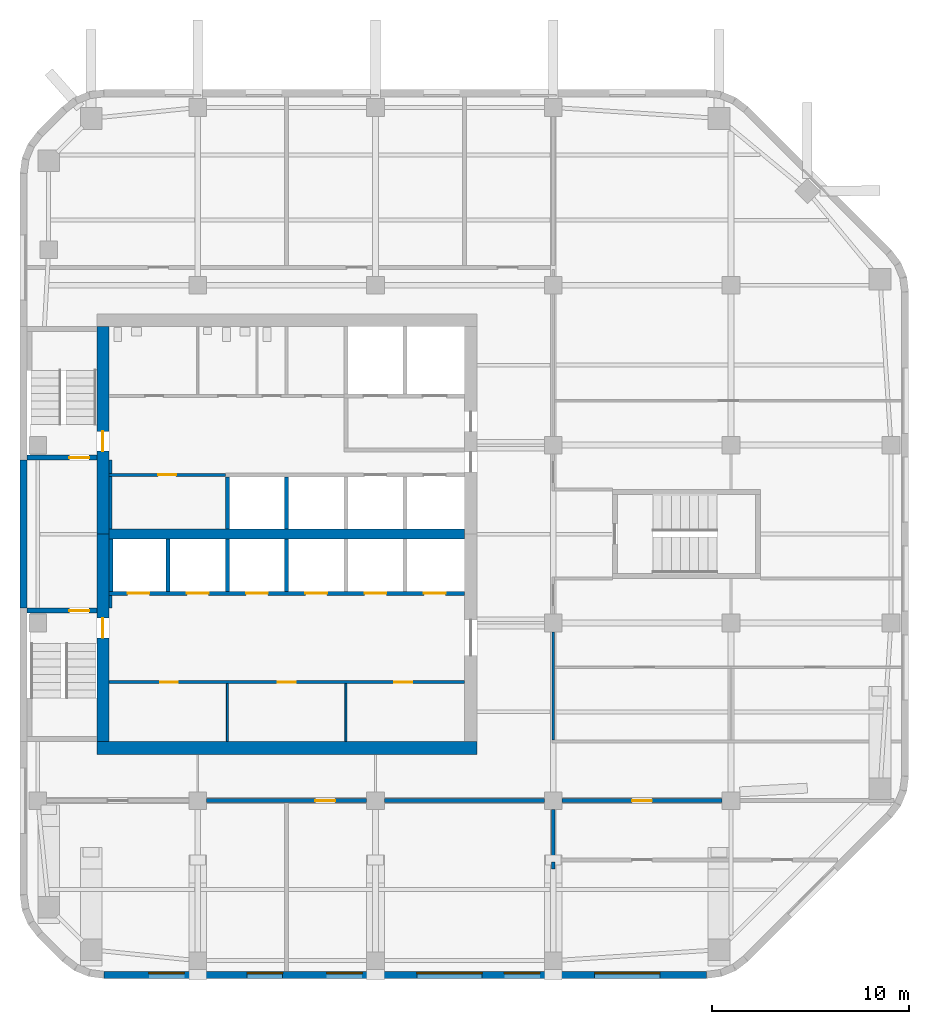
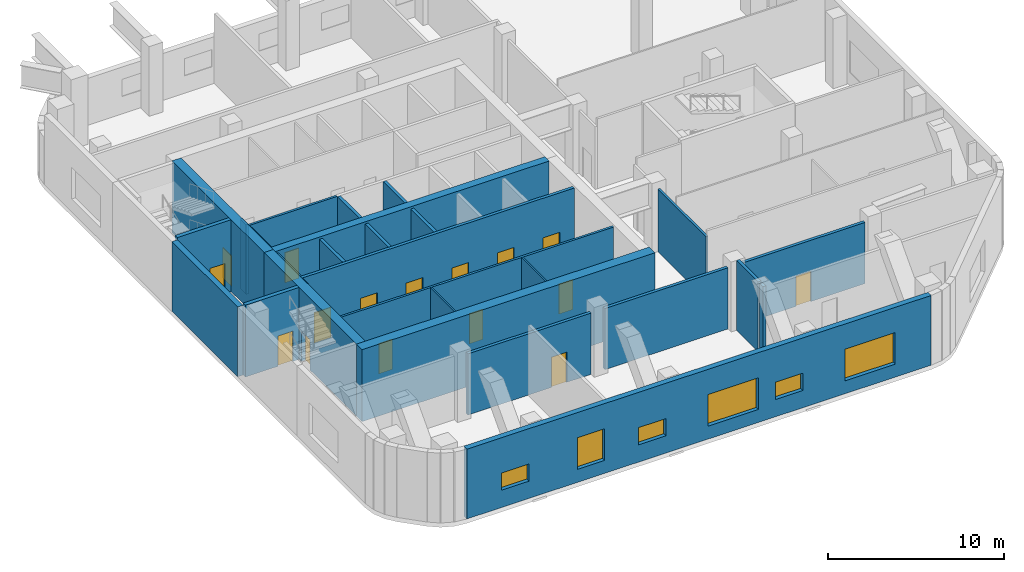
# One storey, part 3 of 8: 28 walls, 16 doors, 6 windows, 22 openings.
"""IFC4 building model written with IfcOpenShell, lengths in metres."""

from ifc_helpers import new_model, si_unit, direction, frame, frame_2d, origin, place, context, subcontext, project, spatial, rectangle, extrude, material, layer, layer_set, type_object, element, fill, save


model = new_model("IFC4")

# Units and contexts
model_context = context("Model", 3, precision=1e-05, world=origin(), true_north=direction((0.0, 1.0)))
body_context = subcontext(model_context, "Body", "Model", "MODEL_VIEW")
ifc_project = project(units=[si_unit("LENGTHUNIT", "METRE"), si_unit("AREAUNIT", "SQUARE_METRE"), si_unit("VOLUMEUNIT", "CUBIC_METRE"), si_unit("PLANEANGLEUNIT", "RADIAN"), si_unit("MASSUNIT", "GRAM", prefix="KILO")], contexts=[model_context])

# Site, building, storey
site_placement = place(None, origin())
site = spatial("IfcSite", under=ifc_project, at=site_placement, CompositionType="ELEMENT")
building_placement = place(site_placement, origin())
building = spatial("IfcBuilding", under=site, at=building_placement, Name="Cinnabar Reach Civic Tower", CompositionType="ELEMENT")
storey_placement = place(building_placement, frame((0.0, 0.0, 193.0)))
storey = spatial("IfcBuildingStorey", under=building, at=storey_placement, Name="L46", CompositionType="ELEMENT", Elevation=193.0)

# Wall, openings, windows
ifc_material_1 = material(Name="Facing brick with insulated backing", Category="masonry")
ifc_layer_1 = layer(ifc_material_1, 0.36)
ifc_layer_set_1 = layer_set([ifc_layer_1], Name="Brick pier and spandrel wall")
wall_type_1 = type_object("IfcWallType", Name="Brick pier and spandrel wall", PredefinedType="STANDARD", material=ifc_layer_set_1)
wall_1_placement = place(storey_placement, frame((4.2426, 9.18, 0.0), z_axis=(0.0, 0.0, 1.0), x_axis=(1.0, 0.0, 0.0)))
wall_1 = element("IfcWall", 1, at=wall_1_placement, inside=storey, type_object=wall_type_1, Name="Brick facade wall", PredefinedType="STANDARD", context=body_context, shape_type="SweptSolid", body=[
    extrude(rectangle(XDim=30.5148, YDim=0.36, at=frame_2d((15.2574, 0.0))), origin(), (0.0, 0.0, 1.0), 4.85),
])
opening_1_placement = place(wall_1_placement, frame((2.2824, 0.0, 1.2)))
opening_1 = element("IfcOpeningElement", 2, at=opening_1_placement, cuts=wall_1, Name="Opening W1941", PredefinedType="OPENING", context=body_context, shape_type="SweptSolid", body=[
    extrude(rectangle(XDim=1.8, YDim=1.2, at=frame_2d((0.9, 0.6))), frame((0.0, 0.19, 0.0), z_axis=(0.0, -1.0, 0.0), x_axis=(1.0, 0.0, 0.0)), (0.0, 0.0, 1.0), 0.38),
])
opening_2_placement = place(wall_1_placement, frame((7.2574, 0.0, 0.9)))
opening_2 = element("IfcOpeningElement", 3, at=opening_2_placement, cuts=wall_1, Name="Opening W1942", PredefinedType="OPENING", context=body_context, shape_type="SweptSolid", body=[
    extrude(rectangle(XDim=1.8, YDim=2.2, at=frame_2d((0.9, 1.1))), frame((0.0, 0.19, 0.0), z_axis=(0.0, -1.0, 0.0), x_axis=(1.0, 0.0, 0.0)), (0.0, 0.0, 1.0), 0.38),
])
opening_3_placement = place(wall_1_placement, frame((11.2824, 0.0, 1.2)))
opening_3 = element("IfcOpeningElement", 4, at=opening_3_placement, cuts=wall_1, Name="Opening W1943", PredefinedType="OPENING", context=body_context, shape_type="SweptSolid", body=[
    extrude(rectangle(XDim=1.8, YDim=1.2, at=frame_2d((0.9, 0.6))), frame((0.0, 0.19, 0.0), z_axis=(0.0, -1.0, 0.0), x_axis=(1.0, 0.0, 0.0)), (0.0, 0.0, 1.0), 0.38),
])
opening_4_placement = place(wall_1_placement, frame((15.8574, 0.0, 0.9)))
opening_4 = element("IfcOpeningElement", 5, at=opening_4_placement, cuts=wall_1, Name="Opening W1944", PredefinedType="OPENING", context=body_context, shape_type="SweptSolid", body=[
    extrude(rectangle(XDim=3.3, YDim=2.2, at=frame_2d((1.65, 1.1))), frame((0.0, 0.19, 0.0), z_axis=(0.0, -1.0, 0.0), x_axis=(1.0, 0.0, 0.0)), (0.0, 0.0, 1.0), 0.38),
])
opening_5_placement = place(wall_1_placement, frame((20.2824, 0.0, 1.2)))
opening_5 = element("IfcOpeningElement", 6, at=opening_5_placement, cuts=wall_1, Name="Opening W1945", PredefinedType="OPENING", context=body_context, shape_type="SweptSolid", body=[
    extrude(rectangle(XDim=1.8, YDim=1.2, at=frame_2d((0.9, 0.6))), frame((0.0, 0.19, 0.0), z_axis=(0.0, -1.0, 0.0), x_axis=(1.0, 0.0, 0.0)), (0.0, 0.0, 1.0), 0.38),
])
opening_6_placement = place(wall_1_placement, frame((24.8574, 0.0, 0.9)))
opening_6 = element("IfcOpeningElement", 7, at=opening_6_placement, cuts=wall_1, Name="Opening W1946", PredefinedType="OPENING", context=body_context, shape_type="SweptSolid", body=[
    extrude(rectangle(XDim=3.3, YDim=2.2, at=frame_2d((1.65, 1.1))), frame((0.0, 0.19, 0.0), z_axis=(0.0, -1.0, 0.0), x_axis=(1.0, 0.0, 0.0)), (0.0, 0.0, 1.0), 0.38),
])
ifc_material_2 = material(Name="Clear double glazing in aluminium frame", Category="aluminium")
window_type_1 = type_object("IfcWindowType", Name="Deep-set window B", PartitioningType="SINGLE_PANEL", PredefinedType="WINDOW", material=ifc_material_2)
window_1_placement = place(opening_4_placement, origin())
window_1 = element("IfcWindow", 8, at=window_1_placement, inside=storey, type_object=window_type_1, Name="Window south face", OverallHeight=2.2, OverallWidth=3.3, PartitioningType="SINGLE_PANEL", PredefinedType="WINDOW", context=body_context, shape_type="SweptSolid", body=[
    extrude(rectangle(XDim=3.3, YDim=2.2, at=frame_2d((1.65, 1.1))), frame((0.0, 0.13, 0.0), z_axis=(0.0, -1.0, 0.0), x_axis=(1.0, 0.0, 0.0)), (0.0, 0.0, 1.0), 0.06),
])
fill(opening_4, window_1)
window_2_placement = place(opening_6_placement, origin())
window_2 = element("IfcWindow", 9, at=window_2_placement, inside=storey, type_object=window_type_1, Name="Window south face", OverallHeight=2.2, OverallWidth=3.3, PartitioningType="SINGLE_PANEL", PredefinedType="WINDOW", context=body_context, shape_type="SweptSolid", body=[
    extrude(rectangle(XDim=3.3, YDim=2.2, at=frame_2d((1.65, 1.1))), frame((0.0, 0.13, 0.0), z_axis=(0.0, -1.0, 0.0), x_axis=(1.0, 0.0, 0.0)), (0.0, 0.0, 1.0), 0.06),
])
fill(opening_6, window_2)
window_type_2 = type_object("IfcWindowType", Name="Deep-set window C", PartitioningType="SINGLE_PANEL", PredefinedType="WINDOW", material=ifc_material_2)
window_3_placement = place(opening_1_placement, origin())
window_3 = element("IfcWindow", 10, at=window_3_placement, inside=storey, type_object=window_type_2, Name="Window south face", OverallHeight=1.2, OverallWidth=1.8, PartitioningType="SINGLE_PANEL", PredefinedType="WINDOW", context=body_context, shape_type="SweptSolid", body=[
    extrude(rectangle(XDim=1.8, YDim=1.2, at=frame_2d((0.9, 0.6))), frame((0.0, 0.13, 0.0), z_axis=(0.0, -1.0, 0.0), x_axis=(1.0, 0.0, 0.0)), (0.0, 0.0, 1.0), 0.06),
])
fill(opening_1, window_3)
window_4_placement = place(opening_3_placement, origin())
window_4 = element("IfcWindow", 11, at=window_4_placement, inside=storey, type_object=window_type_2, Name="Window south face", OverallHeight=1.2, OverallWidth=1.8, PartitioningType="SINGLE_PANEL", PredefinedType="WINDOW", context=body_context, shape_type="SweptSolid", body=[
    extrude(rectangle(XDim=1.8, YDim=1.2, at=frame_2d((0.9, 0.6))), frame((0.0, 0.13, 0.0), z_axis=(0.0, -1.0, 0.0), x_axis=(1.0, 0.0, 0.0)), (0.0, 0.0, 1.0), 0.06),
])
fill(opening_3, window_4)
window_5_placement = place(opening_5_placement, origin())
window_5 = element("IfcWindow", 12, at=window_5_placement, inside=storey, type_object=window_type_2, Name="Window south face", OverallHeight=1.2, OverallWidth=1.8, PartitioningType="SINGLE_PANEL", PredefinedType="WINDOW", context=body_context, shape_type="SweptSolid", body=[
    extrude(rectangle(XDim=1.8, YDim=1.2, at=frame_2d((0.9, 0.6))), frame((0.0, 0.13, 0.0), z_axis=(0.0, -1.0, 0.0), x_axis=(1.0, 0.0, 0.0)), (0.0, 0.0, 1.0), 0.06),
])
fill(opening_5, window_5)
window_type_3 = type_object("IfcWindowType", Name="Deep-set window E", PartitioningType="SINGLE_PANEL", PredefinedType="WINDOW", material=ifc_material_2)
window_6_placement = place(opening_2_placement, origin())
window_6 = element("IfcWindow", 13, at=window_6_placement, inside=storey, type_object=window_type_3, Name="Window south face", OverallHeight=2.2, OverallWidth=1.8, PartitioningType="SINGLE_PANEL", PredefinedType="WINDOW", context=body_context, shape_type="SweptSolid", body=[
    extrude(rectangle(XDim=1.8, YDim=2.2, at=frame_2d((0.9, 1.1))), frame((0.0, 0.13, 0.0), z_axis=(0.0, -1.0, 0.0), x_axis=(1.0, 0.0, 0.0)), (0.0, 0.0, 1.0), 0.06),
])
fill(opening_2, window_6)

# Walls
wall_2_placement = place(storey_placement, frame((0.18, 35.25, 0.0), z_axis=(0.0, 0.0, 1.0), x_axis=(0.0, -1.0, 0.0)))
element("IfcWall", 14, at=wall_2_placement, inside=storey, type_object=wall_type_1, Name="Brick facade wall", PredefinedType="STANDARD", context=body_context, shape_type="SweptSolid", body=[
    extrude(rectangle(XDim=7.5, YDim=0.36, at=frame_2d((3.75, 0.0))), origin(), (0.0, 0.0, 1.0), 4.85),
])
ifc_material_3 = material(Name="Concrete C60", Category="concrete")
ifc_layer_2 = layer(ifc_material_3, 0.5)
ifc_layer_set_2 = layer_set([ifc_layer_2], Name="Core wall 500 EI 180")
wall_type_2 = type_object("IfcWallType", Name="Core wall 500 EI 180", PredefinedType="SOLIDWALL", material=ifc_layer_set_2)
wall_3_placement = place(storey_placement, frame((4.5, 31.5, 0.0), z_axis=(0.0, 0.0, 1.0), x_axis=(1.0, 0.0, 0.0)))
element("IfcWall", 15, at=wall_3_placement, inside=storey, type_object=wall_type_2, Name="Core spine wall T1 L46", PredefinedType="SOLIDWALL", context=body_context, shape_type="SweptSolid", body=[
    extrude(rectangle(XDim=18.0, YDim=0.5, at=frame_2d((9.0, 0.0))), origin(), (0.0, 0.0, 1.0), 5.0),
])

# Wall, opening, door
ifc_material_4 = material(Name="Concrete C70", Category="concrete")
ifc_layer_3 = layer(ifc_material_4, 0.6)
ifc_layer_set_3 = layer_set([ifc_layer_3], Name="Core wall 600 EI 180")
wall_type_3 = type_object("IfcWallType", Name="Core wall 600 EI 180", PredefinedType="SOLIDWALL", material=ifc_layer_set_3)
wall_4_placement = place(storey_placement, frame((4.2, 42.0, 0.0), z_axis=(0.0, 0.0, 1.0), x_axis=(0.0, -1.0, 0.0)))
wall_4 = element("IfcWall", 16, at=wall_4_placement, inside=storey, type_object=wall_type_3, Name="Core wall T1 L46 W", PredefinedType="SOLIDWALL", context=body_context, shape_type="SweptSolid", body=[
    extrude(rectangle(XDim=10.5, YDim=0.6, at=frame_2d((5.25, 0.0))), origin(), (0.0, 0.0, 1.0), 5.0),
])
opening_7_placement = place(wall_4_placement, frame((5.3, 0.0, 0.0)))
opening_7 = element("IfcOpeningElement", 17, at=opening_7_placement, cuts=wall_4, Name="Opening D4874", PredefinedType="OPENING", context=body_context, shape_type="SweptSolid", body=[
    extrude(rectangle(XDim=1.0, YDim=2.1, at=frame_2d((0.5, 1.05))), frame((0.0, 0.31, 0.0), z_axis=(0.0, -1.0, 0.0), x_axis=(1.0, 0.0, 0.0)), (0.0, 0.0, 1.0), 0.62),
])
ifc_material_5 = material(Name="Timber door leaf in steel frame", Category="steel")
door_type_1 = type_object("IfcDoorType", Name="Stair door 1000 x 2100 T1", OperationType="SINGLE_SWING_LEFT", PredefinedType="DOOR", material=ifc_material_5)
door_1_placement = place(opening_7_placement, frame((1.0, 0.0, 0.0), z_axis=(0.0, 0.0, 1.0), x_axis=(-1.0, 0.0, 0.0)))
door_1 = element("IfcDoor", 18, at=door_1_placement, inside=storey, type_object=door_type_1, Name="Door D4874", OperationType="SINGLE_SWING_LEFT", OverallHeight=2.1, OverallWidth=1.0, PredefinedType="DOOR", context=body_context, shape_type="SweptSolid", body=[
    extrude(rectangle(XDim=1.0, YDim=2.1, at=frame_2d((0.5, 1.05))), frame((0.0, 0.025, 0.0), z_axis=(0.0, -1.0, 0.0), x_axis=(1.0, 0.0, 0.0)), (0.0, 0.0, 1.0), 0.05),
])
fill(opening_7, door_1)

wall_5_placement = place(storey_placement, frame((4.2, 31.5, 0.0), z_axis=(0.0, 0.0, 1.0), x_axis=(0.0, -1.0, 0.0)))
wall_5 = element("IfcWall", 19, at=wall_5_placement, inside=storey, type_object=wall_type_3, Name="Core wall T1 L46 W2", PredefinedType="SOLIDWALL", context=body_context, shape_type="SweptSolid", body=[
    extrude(rectangle(XDim=10.5, YDim=0.6, at=frame_2d((5.25, 0.0))), origin(), (0.0, 0.0, 1.0), 5.0),
])
opening_8_placement = place(wall_5_placement, frame((4.25, 0.0, 0.0)))
opening_8 = element("IfcOpeningElement", 20, at=opening_8_placement, cuts=wall_5, Name="Opening D4872", PredefinedType="OPENING", context=body_context, shape_type="SweptSolid", body=[
    extrude(rectangle(XDim=1.0, YDim=2.1, at=frame_2d((0.5, 1.05))), frame((0.0, 0.31, 0.0), z_axis=(0.0, -1.0, 0.0), x_axis=(1.0, 0.0, 0.0)), (0.0, 0.0, 1.0), 0.62),
])
door_2_placement = place(opening_8_placement, frame((1.0, 0.0, 0.0), z_axis=(0.0, 0.0, 1.0), x_axis=(-1.0, 0.0, 0.0)))
door_2 = element("IfcDoor", 21, at=door_2_placement, inside=storey, type_object=door_type_1, Name="Door D4872", OperationType="SINGLE_SWING_RIGHT", OverallHeight=2.1, OverallWidth=1.0, PredefinedType="DOOR", context=body_context, shape_type="SweptSolid", body=[
    extrude(rectangle(XDim=1.0, YDim=2.1, at=frame_2d((0.5, 1.05))), frame((0.0, 0.025, 0.0), z_axis=(0.0, -1.0, 0.0), x_axis=(1.0, 0.0, 0.0)), (0.0, 0.0, 1.0), 0.05),
])
fill(opening_8, door_2)

# Wall
ifc_layer_4 = layer(ifc_material_4, 0.65)
ifc_layer_set_4 = layer_set([ifc_layer_4], Name="Core wall 650 EI 180")
wall_type_4 = type_object("IfcWallType", Name="Core wall 650 EI 180", PredefinedType="SOLIDWALL", material=ifc_layer_set_4)
wall_6_placement = place(storey_placement, frame((3.9, 20.675, 0.0), z_axis=(0.0, 0.0, 1.0), x_axis=(1.0, 0.0, 0.0)))
element("IfcWall", 22, at=wall_6_placement, inside=storey, type_object=wall_type_4, Name="Core wall T1 L46 S", PredefinedType="SOLIDWALL", context=body_context, shape_type="SweptSolid", body=[
    extrude(rectangle(XDim=19.25, YDim=0.65, at=frame_2d((9.625, 0.0))), origin(), (0.0, 0.0, 1.0), 5.0),
])

# Wall, openings, doors
ifc_material_6 = material(Name="Gypsum board on steel studs, double layer", Category="steel")
ifc_layer_5 = layer(ifc_material_6, 0.15)
ifc_layer_set_5 = layer_set([ifc_layer_5], Name="Corridor wall 150 T1")
wall_type_5 = type_object("IfcWallType", Name="Corridor wall 150 T1", PredefinedType="PARTITIONING", material=ifc_layer_set_5)
wall_7_placement = place(storey_placement, frame((4.5, 24.0, 0.0), z_axis=(0.0, 0.0, 1.0), x_axis=(1.0, 0.0, 0.0)))
wall_7 = element("IfcWall", 23, at=wall_7_placement, inside=storey, type_object=wall_type_5, Name="Corridor wall 31", PredefinedType="PARTITIONING", context=body_context, shape_type="SweptSolid", body=[
    extrude(rectangle(XDim=18.0, YDim=0.15, at=frame_2d((9.0, 0.0))), origin(), (0.0, 0.0, 1.0), 4.85),
])
opening_9_placement = place(wall_7_placement, frame((2.6, 0.0, 0.0)))
opening_9 = element("IfcOpeningElement", 24, at=opening_9_placement, cuts=wall_7, Name="Opening D4890", PredefinedType="OPENING", context=body_context, shape_type="SweptSolid", body=[
    extrude(rectangle(XDim=0.9, YDim=2.1, at=frame_2d((0.45, 1.05))), frame((0.0, 0.085, 0.0), z_axis=(0.0, -1.0, 0.0), x_axis=(1.0, 0.0, 0.0)), (0.0, 0.0, 1.0), 0.17),
])
opening_10_placement = place(wall_7_placement, frame((8.55, 0.0, 0.0)))
opening_10 = element("IfcOpeningElement", 25, at=opening_10_placement, cuts=wall_7, Name="Opening D4891", PredefinedType="OPENING", context=body_context, shape_type="SweptSolid", body=[
    extrude(rectangle(XDim=0.9, YDim=2.1, at=frame_2d((0.45, 1.05))), frame((0.0, 0.085, 0.0), z_axis=(0.0, -1.0, 0.0), x_axis=(1.0, 0.0, 0.0)), (0.0, 0.0, 1.0), 0.17),
])
opening_11_placement = place(wall_7_placement, frame((14.45, 0.0, 0.0)))
opening_11 = element("IfcOpeningElement", 26, at=opening_11_placement, cuts=wall_7, Name="Opening D4892", PredefinedType="OPENING", context=body_context, shape_type="SweptSolid", body=[
    extrude(rectangle(XDim=0.9, YDim=2.1, at=frame_2d((0.45, 1.05))), frame((0.0, 0.085, 0.0), z_axis=(0.0, -1.0, 0.0), x_axis=(1.0, 0.0, 0.0)), (0.0, 0.0, 1.0), 0.17),
])
door_type_2 = type_object("IfcDoorType", Name="Single swing door 900 x 2100 corridor T1", OperationType="SINGLE_SWING_LEFT", PredefinedType="DOOR", material=ifc_material_5)
door_3_placement = place(opening_9_placement, frame((0.9, 0.0, 0.0), z_axis=(0.0, 0.0, 1.0), x_axis=(-1.0, 0.0, 0.0)))
door_3 = element("IfcDoor", 27, at=door_3_placement, inside=storey, type_object=door_type_2, Name="Door D4890", OperationType="SINGLE_SWING_RIGHT", OverallHeight=2.1, OverallWidth=0.9, PredefinedType="DOOR", context=body_context, shape_type="SweptSolid", body=[
    extrude(rectangle(XDim=0.9, YDim=2.1, at=frame_2d((0.45, 1.05))), frame((0.0, 0.025, 0.0), z_axis=(0.0, -1.0, 0.0), x_axis=(1.0, 0.0, 0.0)), (0.0, 0.0, 1.0), 0.05),
])
fill(opening_9, door_3)
door_4_placement = place(opening_10_placement, frame((0.9, 0.0, 0.0), z_axis=(0.0, 0.0, 1.0), x_axis=(-1.0, 0.0, 0.0)))
door_4 = element("IfcDoor", 28, at=door_4_placement, inside=storey, type_object=door_type_2, Name="Door D4891", OperationType="SINGLE_SWING_LEFT", OverallHeight=2.1, OverallWidth=0.9, PredefinedType="DOOR", context=body_context, shape_type="SweptSolid", body=[
    extrude(rectangle(XDim=0.9, YDim=2.1, at=frame_2d((0.45, 1.05))), frame((0.0, 0.025, 0.0), z_axis=(0.0, -1.0, 0.0), x_axis=(1.0, 0.0, 0.0)), (0.0, 0.0, 1.0), 0.05),
])
fill(opening_10, door_4)
door_5_placement = place(opening_11_placement, frame((0.9, 0.0, 0.0), z_axis=(0.0, 0.0, 1.0), x_axis=(-1.0, 0.0, 0.0)))
door_5 = element("IfcDoor", 29, at=door_5_placement, inside=storey, type_object=door_type_2, Name="Door D4892", OperationType="SINGLE_SWING_LEFT", OverallHeight=2.1, OverallWidth=0.9, PredefinedType="DOOR", context=body_context, shape_type="SweptSolid", body=[
    extrude(rectangle(XDim=0.9, YDim=2.1, at=frame_2d((0.45, 1.05))), frame((0.0, 0.025, 0.0), z_axis=(0.0, -1.0, 0.0), x_axis=(1.0, 0.0, 0.0)), (0.0, 0.0, 1.0), 0.05),
])
fill(opening_11, door_5)

# Wall
wall_8_placement = place(storey_placement, frame((27.0, 21.075, 0.0), z_axis=(0.0, 0.0, 1.0), x_axis=(0.0, 1.0, 0.0)))
element("IfcWall", 30, at=wall_8_placement, inside=storey, type_object=wall_type_5, Name="Corridor wall 38", PredefinedType="PARTITIONING", context=body_context, shape_type="SweptSolid", body=[
    extrude(rectangle(XDim=5.475, YDim=0.15, at=frame_2d((2.7375, 0.0))), origin(), (0.0, 0.0, 1.0), 4.35),
])

# Wall, opening, door
wall_9_placement = place(storey_placement, frame((4.5, 34.5, 0.0), z_axis=(0.0, 0.0, 1.0), x_axis=(1.0, 0.0, 0.0)))
wall_9 = element("IfcWall", 31, at=wall_9_placement, inside=storey, type_object=wall_type_5, Name="Corridor wall 40", PredefinedType="PARTITIONING", context=body_context, shape_type="SweptSolid", body=[
    extrude(rectangle(XDim=5.9, YDim=0.15, at=frame_2d((2.95, 0.0))), origin(), (0.0, 0.0, 1.0), 4.85),
])
opening_12_placement = place(wall_9_placement, frame((2.5, 0.0, 0.0)))
opening_12 = element("IfcOpeningElement", 32, at=opening_12_placement, cuts=wall_9, Name="Opening D4893", PredefinedType="OPENING", context=body_context, shape_type="SweptSolid", body=[
    extrude(rectangle(XDim=0.9, YDim=2.1, at=frame_2d((0.45, 1.05))), frame((0.0, 0.085, 0.0), z_axis=(0.0, -1.0, 0.0), x_axis=(1.0, 0.0, 0.0)), (0.0, 0.0, 1.0), 0.17),
])
door_6_placement = place(opening_12_placement, frame((0.9, 0.0, 0.0), z_axis=(0.0, 0.0, 1.0), x_axis=(-1.0, 0.0, 0.0)))
door_6 = element("IfcDoor", 33, at=door_6_placement, inside=storey, type_object=door_type_2, Name="Door D4893", OperationType="SINGLE_SWING_RIGHT", OverallHeight=2.1, OverallWidth=0.9, PredefinedType="DOOR", context=body_context, shape_type="SweptSolid", body=[
    extrude(rectangle(XDim=0.9, YDim=2.1, at=frame_2d((0.45, 1.05))), frame((0.0, 0.025, 0.0), z_axis=(0.0, -1.0, 0.0), x_axis=(1.0, 0.0, 0.0)), (0.0, 0.0, 1.0), 0.05),
])
fill(opening_12, door_6)

# Walls
wall_10_placement = place(storey_placement, frame((4.575, 34.575, 0.0), z_axis=(0.0, 0.0, 1.0), x_axis=(0.0, 1.0, 0.0)))
element("IfcWall", 34, at=wall_10_placement, inside=storey, type_object=wall_type_5, Name="Corridor wall 41", PredefinedType="PARTITIONING", context=body_context, shape_type="SweptSolid", body=[
    extrude(rectangle(XDim=0.675, YDim=0.15, at=frame_2d((0.3375, 0.0))), origin(), (0.0, 0.0, 1.0), 4.85),
])
wall_11_placement = place(storey_placement, frame((4.575, 31.75, 0.0), z_axis=(0.0, 0.0, 1.0), x_axis=(0.0, 1.0, 0.0)))
element("IfcWall", 35, at=wall_11_placement, inside=storey, type_object=wall_type_5, Name="Corridor wall 42", PredefinedType="PARTITIONING", context=body_context, shape_type="SweptSolid", body=[
    extrude(rectangle(XDim=2.675, YDim=0.15, at=frame_2d((1.3375, 0.0))), origin(), (0.0, 0.0, 1.0), 4.85),
])
wall_12_placement = place(storey_placement, frame((4.575, 27.75, 0.0), z_axis=(0.0, 0.0, 1.0), x_axis=(0.0, 1.0, 0.0)))
element("IfcWall", 36, at=wall_12_placement, inside=storey, type_object=wall_type_5, Name="Corridor wall 45", PredefinedType="PARTITIONING", context=body_context, shape_type="SweptSolid", body=[
    extrude(rectangle(XDim=0.65, YDim=0.15, at=frame_2d((0.325, 0.0))), origin(), (0.0, 0.0, 1.0), 4.85),
])

# Wall, openings, doors
ifc_material_7 = material(Name="Blockwork", Category="masonry")
ifc_layer_6 = layer(ifc_material_7, 0.2)
ifc_layer_set_6 = layer_set([ifc_layer_6], Name="Lift shaft wall 200 T1")
wall_type_6 = type_object("IfcWallType", Name="Lift shaft wall 200 T1", PredefinedType="PARTITIONING", material=ifc_layer_set_6)
wall_13_placement = place(storey_placement, frame((4.5, 28.5, 0.0), z_axis=(0.0, 0.0, 1.0), x_axis=(1.0, 0.0, 0.0)))
wall_13 = element("IfcWall", 37, at=wall_13_placement, inside=storey, type_object=wall_type_6, Name="Lift shaft wall 17", PredefinedType="PARTITIONING", context=body_context, shape_type="SweptSolid", body=[
    extrude(rectangle(XDim=18.0, YDim=0.2, at=frame_2d((9.0, 0.0))), origin(), (0.0, 0.0, 1.0), 4.85),
])
opening_13_placement = place(wall_13_placement, frame((0.95, 0.0, 0.0)))
opening_13 = element("IfcOpeningElement", 38, at=opening_13_placement, cuts=wall_13, Name="Opening D4876", PredefinedType="OPENING", context=body_context, shape_type="SweptSolid", body=[
    extrude(rectangle(XDim=1.1, YDim=2.1, at=frame_2d((0.55, 1.05))), frame((0.0, 0.11, 0.0), z_axis=(0.0, -1.0, 0.0), x_axis=(1.0, 0.0, 0.0)), (0.0, 0.0, 1.0), 0.22),
])
opening_14_placement = place(wall_13_placement, frame((3.95, 0.0, 0.0)))
opening_14 = element("IfcOpeningElement", 39, at=opening_14_placement, cuts=wall_13, Name="Opening D4877", PredefinedType="OPENING", context=body_context, shape_type="SweptSolid", body=[
    extrude(rectangle(XDim=1.1, YDim=2.1, at=frame_2d((0.55, 1.05))), frame((0.0, 0.11, 0.0), z_axis=(0.0, -1.0, 0.0), x_axis=(1.0, 0.0, 0.0)), (0.0, 0.0, 1.0), 0.22),
])
opening_15_placement = place(wall_13_placement, frame((6.95, 0.0, 0.0)))
opening_15 = element("IfcOpeningElement", 40, at=opening_15_placement, cuts=wall_13, Name="Opening D4878", PredefinedType="OPENING", context=body_context, shape_type="SweptSolid", body=[
    extrude(rectangle(XDim=1.1, YDim=2.1, at=frame_2d((0.55, 1.05))), frame((0.0, 0.11, 0.0), z_axis=(0.0, -1.0, 0.0), x_axis=(1.0, 0.0, 0.0)), (0.0, 0.0, 1.0), 0.22),
])
opening_16_placement = place(wall_13_placement, frame((9.95, 0.0, 0.0)))
opening_16 = element("IfcOpeningElement", 41, at=opening_16_placement, cuts=wall_13, Name="Opening D4879", PredefinedType="OPENING", context=body_context, shape_type="SweptSolid", body=[
    extrude(rectangle(XDim=1.1, YDim=2.1, at=frame_2d((0.55, 1.05))), frame((0.0, 0.11, 0.0), z_axis=(0.0, -1.0, 0.0), x_axis=(1.0, 0.0, 0.0)), (0.0, 0.0, 1.0), 0.22),
])
opening_17_placement = place(wall_13_placement, frame((12.95, 0.0, 0.0)))
opening_17 = element("IfcOpeningElement", 42, at=opening_17_placement, cuts=wall_13, Name="Opening D4880", PredefinedType="OPENING", context=body_context, shape_type="SweptSolid", body=[
    extrude(rectangle(XDim=1.1, YDim=2.1, at=frame_2d((0.55, 1.05))), frame((0.0, 0.11, 0.0), z_axis=(0.0, -1.0, 0.0), x_axis=(1.0, 0.0, 0.0)), (0.0, 0.0, 1.0), 0.22),
])
opening_18_placement = place(wall_13_placement, frame((15.95, 0.0, 0.0)))
opening_18 = element("IfcOpeningElement", 43, at=opening_18_placement, cuts=wall_13, Name="Opening D4881", PredefinedType="OPENING", context=body_context, shape_type="SweptSolid", body=[
    extrude(rectangle(XDim=1.1, YDim=2.1, at=frame_2d((0.55, 1.05))), frame((0.0, 0.11, 0.0), z_axis=(0.0, -1.0, 0.0), x_axis=(1.0, 0.0, 0.0)), (0.0, 0.0, 1.0), 0.22),
])
ifc_material_8 = material(Name="Stainless steel sliding door", Category="steel")
door_type_3 = type_object("IfcDoorType", Name="Lift landing door 1100 x 2100 T1", OperationType="SLIDING_TO_LEFT", PredefinedType="DOOR", material=ifc_material_8)
door_7_placement = place(opening_13_placement, origin())
door_7 = element("IfcDoor", 44, at=door_7_placement, inside=storey, type_object=door_type_3, Name="Lift landing door HR1 L46", OperationType="SLIDING_TO_LEFT", OverallHeight=2.1, OverallWidth=1.1, PredefinedType="DOOR", context=body_context, shape_type="SweptSolid", body=[
    extrude(rectangle(XDim=1.1, YDim=2.1, at=frame_2d((0.55, 1.05))), frame((0.0, 0.025, 0.0), z_axis=(0.0, -1.0, 0.0), x_axis=(1.0, 0.0, 0.0)), (0.0, 0.0, 1.0), 0.05),
])
fill(opening_13, door_7)
door_8_placement = place(opening_14_placement, origin())
door_8 = element("IfcDoor", 45, at=door_8_placement, inside=storey, type_object=door_type_3, Name="Lift landing door HR2 L46", OperationType="SLIDING_TO_LEFT", OverallHeight=2.1, OverallWidth=1.1, PredefinedType="DOOR", context=body_context, shape_type="SweptSolid", body=[
    extrude(rectangle(XDim=1.1, YDim=2.1, at=frame_2d((0.55, 1.05))), frame((0.0, 0.025, 0.0), z_axis=(0.0, -1.0, 0.0), x_axis=(1.0, 0.0, 0.0)), (0.0, 0.0, 1.0), 0.05),
])
fill(opening_14, door_8)
door_9_placement = place(opening_15_placement, origin())
door_9 = element("IfcDoor", 46, at=door_9_placement, inside=storey, type_object=door_type_3, Name="Lift landing door HR3 L46", OperationType="SLIDING_TO_LEFT", OverallHeight=2.1, OverallWidth=1.1, PredefinedType="DOOR", context=body_context, shape_type="SweptSolid", body=[
    extrude(rectangle(XDim=1.1, YDim=2.1, at=frame_2d((0.55, 1.05))), frame((0.0, 0.025, 0.0), z_axis=(0.0, -1.0, 0.0), x_axis=(1.0, 0.0, 0.0)), (0.0, 0.0, 1.0), 0.05),
])
fill(opening_15, door_9)
door_10_placement = place(opening_16_placement, origin())
door_10 = element("IfcDoor", 47, at=door_10_placement, inside=storey, type_object=door_type_3, Name="Lift landing door HR4 L46", OperationType="SLIDING_TO_LEFT", OverallHeight=2.1, OverallWidth=1.1, PredefinedType="DOOR", context=body_context, shape_type="SweptSolid", body=[
    extrude(rectangle(XDim=1.1, YDim=2.1, at=frame_2d((0.55, 1.05))), frame((0.0, 0.025, 0.0), z_axis=(0.0, -1.0, 0.0), x_axis=(1.0, 0.0, 0.0)), (0.0, 0.0, 1.0), 0.05),
])
fill(opening_16, door_10)
door_11_placement = place(opening_17_placement, origin())
door_11 = element("IfcDoor", 48, at=door_11_placement, inside=storey, type_object=door_type_3, Name="Lift landing door HR5 L46", OperationType="SLIDING_TO_LEFT", OverallHeight=2.1, OverallWidth=1.1, PredefinedType="DOOR", context=body_context, shape_type="SweptSolid", body=[
    extrude(rectangle(XDim=1.1, YDim=2.1, at=frame_2d((0.55, 1.05))), frame((0.0, 0.025, 0.0), z_axis=(0.0, -1.0, 0.0), x_axis=(1.0, 0.0, 0.0)), (0.0, 0.0, 1.0), 0.05),
])
fill(opening_17, door_11)
door_12_placement = place(opening_18_placement, origin())
door_12 = element("IfcDoor", 49, at=door_12_placement, inside=storey, type_object=door_type_3, Name="Lift landing door HR6 L46", OperationType="SLIDING_TO_LEFT", OverallHeight=2.1, OverallWidth=1.1, PredefinedType="DOOR", context=body_context, shape_type="SweptSolid", body=[
    extrude(rectangle(XDim=1.1, YDim=2.1, at=frame_2d((0.55, 1.05))), frame((0.0, 0.025, 0.0), z_axis=(0.0, -1.0, 0.0), x_axis=(1.0, 0.0, 0.0)), (0.0, 0.0, 1.0), 0.05),
])
fill(opening_18, door_12)

# Walls
for number, where, z_axis, x_axis, name in (
    (50, (10.5, 28.6, 0.0), (0.0, 0.0, 1.0), (0.0, 1.0, 0.0), "Lift shaft wall 19"),
    (51, (10.5, 31.75, 0.0), (0.0, 0.0, 1.0), (0.0, 1.0, 0.0), "Lift shaft wall 20"),
    (52, (13.5, 28.6, 0.0), (0.0, 0.0, 1.0), (0.0, 1.0, 0.0), "Lift shaft wall 21"),
    (53, (13.5, 31.75, 0.0), (0.0, 0.0, 1.0), (0.0, 1.0, 0.0), "Lift shaft wall 22"),
    (54, (4.6, 28.6, 0.0), (0.0, 0.0, 1.0), (0.0, 1.0, 0.0), "Lift shaft wall 29"),
    (55, (7.5, 28.6, 0.0), (0.0, 0.0, 1.0), (0.0, 1.0, 0.0), "Lift shaft wall 30"),
):
    element("IfcWall", number, at=place(storey_placement, frame(where, z_axis=z_axis, x_axis=x_axis)), inside=storey, type_object=wall_type_6, Name=name, PredefinedType="PARTITIONING", context=body_context, shape_type="SweptSolid", body=[
        extrude(rectangle(XDim=2.65, YDim=0.2, at=frame_2d((1.325, 0.0))), origin(), (0.0, 0.0, 1.0), 4.85),
    ])
ifc_material_9 = material(Name="Gypsum board on steel studs", Category="steel")
ifc_layer_7 = layer(ifc_material_9, 0.1)
ifc_layer_set_7 = layer_set([ifc_layer_7], Name="Partition wall 100 T1")
wall_type_7 = type_object("IfcWallType", Name="Partition wall 100 T1", PredefinedType="PARTITIONING", material=ifc_layer_set_7)
for number, where, z_axis, x_axis, name in (
    (56, (10.5, 21.0, 0.0), (0.0, 0.0, 1.0), (0.0, 1.0, 0.0), "Partition wall 53"),
    (57, (16.5, 21.0, 0.0), (0.0, 0.0, 1.0), (0.0, 1.0, 0.0), "Partition wall 54"),
):
    element("IfcWall", number, at=place(storey_placement, frame(where, z_axis=z_axis, x_axis=x_axis)), inside=storey, type_object=wall_type_7, Name=name, PredefinedType="PARTITIONING", context=body_context, shape_type="SweptSolid", body=[
        extrude(rectangle(XDim=2.925, YDim=0.1, at=frame_2d((1.4625, 0.0))), origin(), (0.0, 0.0, 1.0), 4.85),
    ])

# Wall, opening, door
ifc_material_10 = material(Name="Concrete C40", Category="concrete")
ifc_layer_8 = layer(ifc_material_10, 0.2)
ifc_layer_set_8 = layer_set([ifc_layer_8], Name="Refuge compartment wall 200 T1")
wall_type_8 = type_object("IfcWallType", Name="Refuge compartment wall 200 T1", PredefinedType="PARTITIONING", material=ifc_layer_set_8)
wall_14_placement = place(storey_placement, frame((9.45, 18.0, 0.0), z_axis=(0.0, 0.0, 1.0), x_axis=(1.0, 0.0, 0.0)))
wall_14 = element("IfcWall", 58, at=wall_14_placement, inside=storey, type_object=wall_type_8, Name="Refuge compartment wall 2", PredefinedType="PARTITIONING", context=body_context, shape_type="SweptSolid", body=[
    extrude(rectangle(XDim=8.1, YDim=0.2, at=frame_2d((4.05, 0.0))), origin(), (0.0, 0.0, 1.0), 4.254),
])
opening_19_placement = place(wall_14_placement, frame((5.5, 0.0, 0.0)))
opening_19 = element("IfcOpeningElement", 59, at=opening_19_placement, cuts=wall_14, Name="Opening D4904", PredefinedType="OPENING", context=body_context, shape_type="SweptSolid", body=[
    extrude(rectangle(XDim=1.0, YDim=2.1, at=frame_2d((0.5, 1.05))), frame((0.0, 0.11, 0.0), z_axis=(0.0, -1.0, 0.0), x_axis=(1.0, 0.0, 0.0)), (0.0, 0.0, 1.0), 0.22),
])
door_type_4 = type_object("IfcDoorType", Name="Refuge door 1000 x 2100 T1", OperationType="SINGLE_SWING_LEFT", PredefinedType="DOOR", material=ifc_material_5)
door_13_placement = place(opening_19_placement, origin())
door_13 = element("IfcDoor", 60, at=door_13_placement, inside=storey, type_object=door_type_4, Name="Door D4904", OperationType="SINGLE_SWING_LEFT", OverallHeight=2.1, OverallWidth=1.0, PredefinedType="DOOR", context=body_context, shape_type="SweptSolid", body=[
    extrude(rectangle(XDim=1.0, YDim=2.1, at=frame_2d((0.5, 1.05))), frame((0.0, 0.025, 0.0), z_axis=(0.0, -1.0, 0.0), x_axis=(1.0, 0.0, 0.0)), (0.0, 0.0, 1.0), 0.05),
])
fill(opening_19, door_13)

# Wall
wall_15_placement = place(storey_placement, frame((18.45, 18.0, 0.0), z_axis=(0.0, 0.0, 1.0), x_axis=(1.0, 0.0, 0.0)))
element("IfcWall", 61, at=wall_15_placement, inside=storey, type_object=wall_type_8, Name="Refuge compartment wall 3", PredefinedType="PARTITIONING", context=body_context, shape_type="SweptSolid", body=[
    extrude(rectangle(XDim=8.1, YDim=0.2, at=frame_2d((4.05, 0.0))), origin(), (0.0, 0.0, 1.0), 4.254),
])

# Wall, opening, door
wall_16_placement = place(storey_placement, frame((27.45, 18.0, 0.0), z_axis=(0.0, 0.0, 1.0), x_axis=(1.0, 0.0, 0.0)))
wall_16 = element("IfcWall", 62, at=wall_16_placement, inside=storey, type_object=wall_type_8, Name="Refuge compartment wall 4", PredefinedType="PARTITIONING", context=body_context, shape_type="SweptSolid", body=[
    extrude(rectangle(XDim=8.1, YDim=0.2, at=frame_2d((4.05, 0.0))), origin(), (0.0, 0.0, 1.0), 4.254),
])
opening_20_placement = place(wall_16_placement, frame((3.55, 0.0, 0.0)))
opening_20 = element("IfcOpeningElement", 63, at=opening_20_placement, cuts=wall_16, Name="Opening D4905", PredefinedType="OPENING", context=body_context, shape_type="SweptSolid", body=[
    extrude(rectangle(XDim=1.0, YDim=2.1, at=frame_2d((0.5, 1.05))), frame((0.0, 0.11, 0.0), z_axis=(0.0, -1.0, 0.0), x_axis=(1.0, 0.0, 0.0)), (0.0, 0.0, 1.0), 0.22),
])
door_14_placement = place(opening_20_placement, frame((1.0, 0.0, 0.0), z_axis=(0.0, 0.0, 1.0), x_axis=(-1.0, 0.0, 0.0)))
door_14 = element("IfcDoor", 64, at=door_14_placement, inside=storey, type_object=door_type_4, Name="Door D4905", OperationType="SINGLE_SWING_LEFT", OverallHeight=2.1, OverallWidth=1.0, PredefinedType="DOOR", context=body_context, shape_type="SweptSolid", body=[
    extrude(rectangle(XDim=1.0, YDim=2.1, at=frame_2d((0.5, 1.05))), frame((0.0, 0.025, 0.0), z_axis=(0.0, -1.0, 0.0), x_axis=(1.0, 0.0, 0.0)), (0.0, 0.0, 1.0), 0.05),
])
fill(opening_20, door_14)

# Walls
wall_17_placement = place(storey_placement, frame((27.0, 14.5392, 0.0), z_axis=(0.0, 0.0, 1.0), x_axis=(0.0, 1.0, 0.0)))
element("IfcWall", 65, at=wall_17_placement, inside=storey, type_object=wall_type_8, Name="Refuge compartment wall 11", PredefinedType="PARTITIONING", context=body_context, shape_type="SweptSolid", body=[
    extrude(rectangle(XDim=0.3608, YDim=0.2, at=frame_2d((0.1804, 0.0))), origin(), (0.0, 0.0, 1.0), 4.85),
])
wall_18_placement = place(storey_placement, frame((27.0, 15.1, 0.0), z_axis=(0.0, 0.0, 1.0), x_axis=(0.0, 1.0, 0.0)))
element("IfcWall", 66, at=wall_18_placement, inside=storey, type_object=wall_type_8, Name="Refuge compartment wall 12", PredefinedType="PARTITIONING", context=body_context, shape_type="SweptSolid", body=[
    extrude(rectangle(XDim=2.45, YDim=0.2, at=frame_2d((1.225, 0.0))), origin(), (0.0, 0.0, 1.0), 4.85),
])

# Wall, opening, door
ifc_layer_9 = layer(ifc_material_3, 0.25)
ifc_layer_set_9 = layer_set([ifc_layer_9], Name="Stair shaft wall 250 EI 120")
wall_type_9 = type_object("IfcWallType", Name="Stair shaft wall 250 EI 120", PredefinedType="SOLIDWALL", material=ifc_layer_set_9)
wall_19_placement = place(storey_placement, frame((3.9, 27.625, 0.0), z_axis=(0.0, 0.0, 1.0), x_axis=(-1.0, 0.0, 0.0)))
wall_19 = element("IfcWall", 67, at=wall_19_placement, inside=storey, type_object=wall_type_9, Name="Stair shaft wall T1-S1 L46", PredefinedType="SOLIDWALL", context=body_context, shape_type="SweptSolid", body=[
    extrude(rectangle(XDim=3.54, YDim=0.25, at=frame_2d((1.77, 0.0))), origin(), (0.0, 0.0, 1.0), 5.0),
])
opening_21_placement = place(wall_19_placement, frame((0.4, 0.0, 0.0)))
opening_21 = element("IfcOpeningElement", 68, at=opening_21_placement, cuts=wall_19, Name="Opening D4873", PredefinedType="OPENING", context=body_context, shape_type="SweptSolid", body=[
    extrude(rectangle(XDim=1.0, YDim=2.1, at=frame_2d((0.5, 1.05))), frame((0.0, 0.135, 0.0), z_axis=(0.0, -1.0, 0.0), x_axis=(1.0, 0.0, 0.0)), (0.0, 0.0, 1.0), 0.27),
])
door_15_placement = place(opening_21_placement, origin())
door_15 = element("IfcDoor", 69, at=door_15_placement, inside=storey, type_object=door_type_1, Name="Door D4873", OperationType="SINGLE_SWING_LEFT", OverallHeight=2.1, OverallWidth=1.0, PredefinedType="DOOR", context=body_context, shape_type="SweptSolid", body=[
    extrude(rectangle(XDim=1.0, YDim=2.1, at=frame_2d((0.5, 1.05))), frame((0.0, 0.025, 0.0), z_axis=(0.0, -1.0, 0.0), x_axis=(1.0, 0.0, 0.0)), (0.0, 0.0, 1.0), 0.05),
])
fill(opening_21, door_15)

wall_20_placement = place(storey_placement, frame((0.36, 35.375, 0.0), z_axis=(0.0, 0.0, 1.0), x_axis=(1.0, 0.0, 0.0)))
wall_20 = element("IfcWall", 70, at=wall_20_placement, inside=storey, type_object=wall_type_9, Name="Stair shaft wall T1-S2 L46", PredefinedType="SOLIDWALL", context=body_context, shape_type="SweptSolid", body=[
    extrude(rectangle(XDim=3.54, YDim=0.25, at=frame_2d((1.77, 0.0))), origin(), (0.0, 0.0, 1.0), 5.0),
])
opening_22_placement = place(wall_20_placement, frame((2.14, 0.0, 0.0)))
opening_22 = element("IfcOpeningElement", 71, at=opening_22_placement, cuts=wall_20, Name="Opening D4875", PredefinedType="OPENING", context=body_context, shape_type="SweptSolid", body=[
    extrude(rectangle(XDim=1.0, YDim=2.1, at=frame_2d((0.5, 1.05))), frame((0.0, 0.135, 0.0), z_axis=(0.0, -1.0, 0.0), x_axis=(1.0, 0.0, 0.0)), (0.0, 0.0, 1.0), 0.27),
])
door_16_placement = place(opening_22_placement, origin())
door_16 = element("IfcDoor", 72, at=door_16_placement, inside=storey, type_object=door_type_1, Name="Door D4875", OperationType="SINGLE_SWING_RIGHT", OverallHeight=2.1, OverallWidth=1.0, PredefinedType="DOOR", context=body_context, shape_type="SweptSolid", body=[
    extrude(rectangle(XDim=1.0, YDim=2.1, at=frame_2d((0.5, 1.05))), frame((0.0, 0.025, 0.0), z_axis=(0.0, -1.0, 0.0), x_axis=(1.0, 0.0, 0.0)), (0.0, 0.0, 1.0), 0.05),
])
fill(opening_22, door_16)

save(model, "model.ifc")
